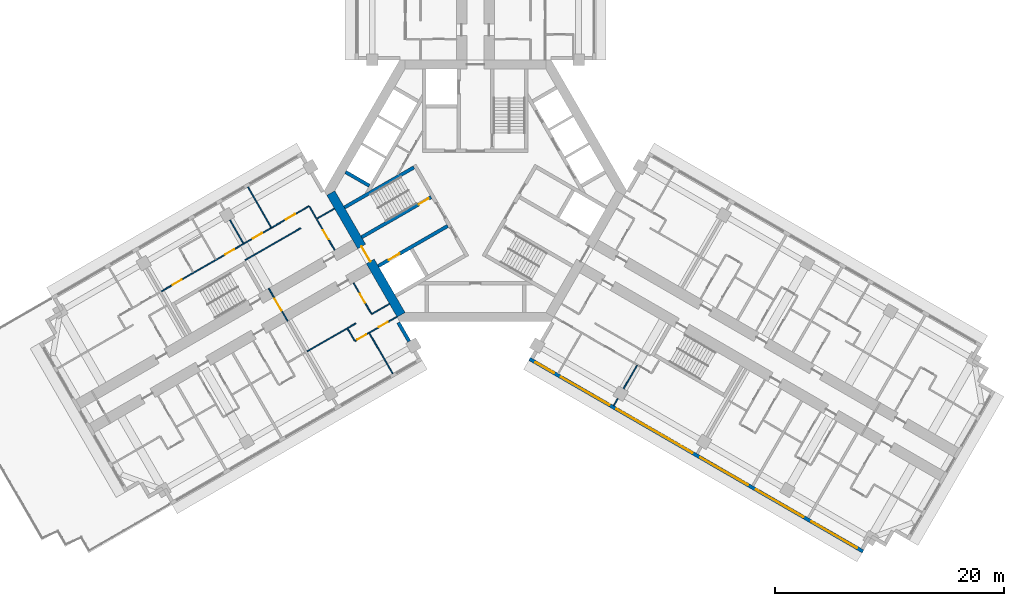
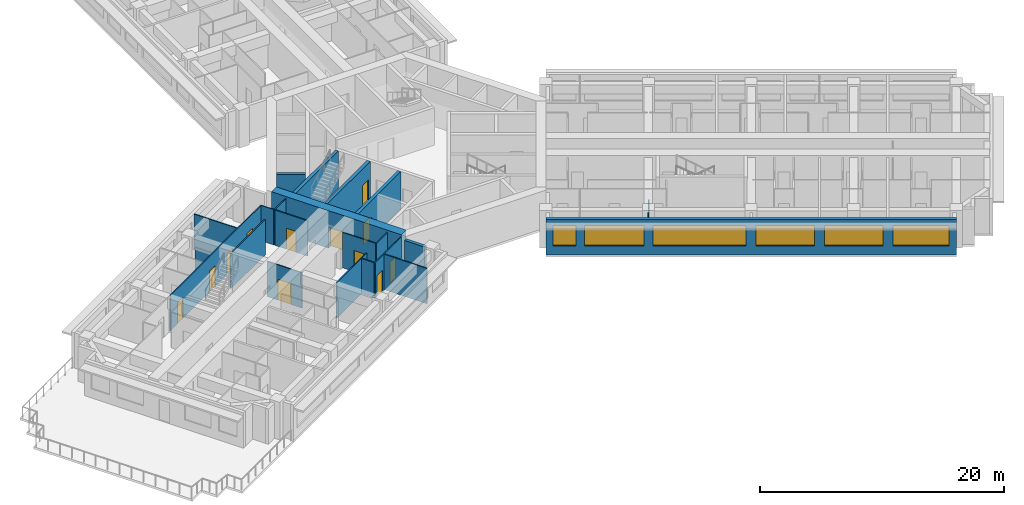
# One storey, part 5 of 15: 23 walls, 12 doors, 6 windows, 18 openings.
"""IFC4 building model written with IfcOpenShell, lengths in metres."""

from ifc_helpers import new_model, si_unit, direction, frame, frame_2d, origin, place, context, subcontext, project, spatial, rectangle, extrude, material, layer, layer_set, type_object, element, fill, save


model = new_model("IFC4")

# Units and contexts
model_context = context("Model", 3, precision=1e-05, world=origin(), true_north=direction((0.0, 1.0)))
body_context = subcontext(model_context, "Body", "Model", "MODEL_VIEW")
ifc_project = project(units=[si_unit("LENGTHUNIT", "METRE"), si_unit("AREAUNIT", "SQUARE_METRE"), si_unit("VOLUMEUNIT", "CUBIC_METRE"), si_unit("PLANEANGLEUNIT", "RADIAN"), si_unit("MASSUNIT", "GRAM", prefix="KILO")], contexts=[model_context])

# Site, building, storey
site_placement = place(None, origin())
site = spatial("IfcSite", under=ifc_project, at=site_placement, CompositionType="ELEMENT")
building_placement = place(site_placement, origin())
building = spatial("IfcBuilding", under=site, at=building_placement, Name="Impinga Residences", CompositionType="ELEMENT")
storey_placement = place(building_placement, frame((0.0, 0.0, 132.25)))
storey = spatial("IfcBuildingStorey", under=building, at=storey_placement, Name="L32", CompositionType="ELEMENT", Elevation=132.25)

# Wall, opening, door
ifc_material_1 = material(Name="Concrete blockwork", Category="masonry")
ifc_layer_1 = layer(ifc_material_1, 0.10009765625)
ifc_layer_set_1 = layer_set([ifc_layer_1], Name="CP1 core room partition, blockwork 100")
wall_type_1 = type_object("IfcWallType", Name="CP1 core room partition, blockwork 100", PredefinedType="PARTITIONING", material=ifc_layer_set_1)
wall_1_placement = place(storey_placement, frame((-16.393310546875, -11.369873046875, 0.0), z_axis=(0.0, 0.0, 1.0), x_axis=(-0.499974350878, 0.866040211805, 0.0)))
wall_1 = element("IfcWall", 1, at=wall_1_placement, inside=storey, type_object=wall_type_1, Name="Core room partition, blockwork L32:W:SCR", PredefinedType="PARTITIONING", context=body_context, shape_type="SweptSolid", body=[
    extrude(rectangle(XDim=3.300048828125, YDim=0.10009765625, at=frame_2d((1.64990234375, 0.0))), origin(), (0.0, 0.0, 1.0), 3.530029296875),
])
opening_1_placement = place(wall_1_placement, frame((1.050048828125, 0.0, 0.0)))
opening_1 = element("IfcOpeningElement", 2, at=opening_1_placement, cuts=wall_1, Name="Opening D3", PredefinedType="OPENING", context=body_context, shape_type="SweptSolid", body=[
    extrude(rectangle(XDim=1.199951171875, YDim=2.10009765625, at=frame_2d((0.60009765625, 1.050048828125))), frame((0.0, 0.06005859375, 0.0), z_axis=(0.0, -1.0, 0.0), x_axis=(1.0, 0.0, 0.0)), (0.0, 0.0, 1.0), 0.1201171875),
])
ifc_material_2 = material(Name="Timber door set", Category="wood")
door_type_1 = type_object("IfcDoorType", Name="D3 room door, leaf and a half 1200x2100", OperationType="DOUBLE_SWING_LEFT", PredefinedType="DOOR", material=ifc_material_2)
door_1_placement = place(opening_1_placement, origin())
door_1 = element("IfcDoor", 3, at=door_1_placement, inside=storey, type_object=door_type_1, Name="Corridor smoke door W", OperationType="DOUBLE_SWING_LEFT", OverallHeight=2.10009765625, OverallWidth=1.199951171875, PredefinedType="DOOR", context=body_context, shape_type="SweptSolid", body=[
    extrude(rectangle(XDim=1.199951171875, YDim=2.10009765625, at=frame_2d((0.60009765625, 1.050048828125))), frame((0.0, 0.02490234375, 0.0), z_axis=(0.0, -1.0, 0.0), x_axis=(1.0, 0.0, 0.0)), (0.0, 0.0, 1.0), 0.050048828125),
])
fill(opening_1, door_1)

# Wall, openings, windows
ifc_material_3 = material(Name="Terracotta rainscreen on blockwork", Category="masonry")
ifc_layer_2 = layer(ifc_material_3, 0.300048828125)
ifc_layer_set_2 = layer_set([ifc_layer_2], Name="EW1 external wall, terracotta rainscreen on blockwork 300")
wall_type_2 = type_object("IfcWallType", Name="EW1 external wall, terracotta rainscreen on blockwork 300", PredefinedType="SOLIDWALL", material=ifc_layer_set_2)
wall_2_placement = place(storey_placement, frame((33.823486328125, -31.479248046875, 0.0), z_axis=(0.0, 0.0, 1.0), x_axis=(-0.866024291668, 0.500001926238, 0.0)))
wall_2 = element("IfcWall", 4, at=wall_2_placement, inside=storey, type_object=wall_type_2, Name="External wall EW1 L32", PredefinedType="SOLIDWALL", context=body_context, shape_type="SweptSolid", body=[
    extrude(rectangle(XDim=33.599853515625, YDim=0.300048828125, at=frame_2d((16.7998046875, 0.0))), origin(), (0.0, 0.0, 1.0), 3.530029296875),
])
opening_2_placement = place(wall_2_placement, frame((0.60009765625, 0.0, 0.89990234375)))
opening_2 = element("IfcOpeningElement", 5, at=opening_2_placement, cuts=wall_2, Name="Opening W3", PredefinedType="OPENING", context=body_context, shape_type="SweptSolid", body=[
    extrude(rectangle(XDim=4.60009765625, YDim=2.050048828125, at=frame_2d((2.300048828125, 1.02490234375))), frame((0.0, 0.159912109375, 0.0), z_axis=(0.0, -1.0, 0.0), x_axis=(1.0, 0.0, 0.0)), (0.0, 0.0, 1.0), 0.320068359375),
])
opening_3_placement = place(wall_2_placement, frame((6.0, 0.0, 0.89990234375)))
opening_3 = element("IfcOpeningElement", 6, at=opening_3_placement, cuts=wall_2, Name="Opening W8", PredefinedType="OPENING", context=body_context, shape_type="SweptSolid", body=[
    extrude(rectangle(XDim=4.800048828125, YDim=2.050048828125, at=frame_2d((2.39990234375, 1.02490234375))), frame((0.0, 0.159912109375, 0.0), z_axis=(0.0, -1.0, 0.0), x_axis=(1.0, 0.0, 0.0)), (0.0, 0.0, 1.0), 0.320068359375),
])
opening_4_placement = place(wall_2_placement, frame((11.60009765625, 0.0, 0.89990234375)))
opening_4 = element("IfcOpeningElement", 7, at=opening_4_placement, cuts=wall_2, Name="Opening W8", PredefinedType="OPENING", context=body_context, shape_type="SweptSolid", body=[
    extrude(rectangle(XDim=4.800048828125, YDim=2.050048828125, at=frame_2d((2.39990234375, 1.02490234375))), frame((0.0, 0.159912109375, 0.0), z_axis=(0.0, -1.0, 0.0), x_axis=(1.0, 0.0, 0.0)), (0.0, 0.0, 1.0), 0.320068359375),
])
opening_5_placement = place(wall_2_placement, frame((17.199951171875, 0.0, 0.89990234375)))
opening_5 = element("IfcOpeningElement", 8, at=opening_5_placement, cuts=wall_2, Name="Opening W13", PredefinedType="OPENING", context=body_context, shape_type="SweptSolid", body=[
    extrude(rectangle(XDim=7.64990234375, YDim=2.050048828125, at=frame_2d((3.824951171875, 1.02490234375))), frame((0.0, 0.159912109375, 0.0), z_axis=(0.0, -1.0, 0.0), x_axis=(1.0, 0.0, 0.0)), (0.0, 0.0, 1.0), 0.320068359375),
])
opening_6_placement = place(wall_2_placement, frame((25.550048828125, 0.0, 0.89990234375)))
opening_6 = element("IfcOpeningElement", 9, at=opening_6_placement, cuts=wall_2, Name="Opening W16", PredefinedType="OPENING", context=body_context, shape_type="SweptSolid", body=[
    extrude(rectangle(XDim=4.89990234375, YDim=2.050048828125, at=frame_2d((2.449951171875, 1.02490234375))), frame((0.0, 0.159912109375, 0.0), z_axis=(0.0, -1.0, 0.0), x_axis=(1.0, 0.0, 0.0)), (0.0, 0.0, 1.0), 0.320068359375),
])
opening_7_placement = place(wall_2_placement, frame((31.14990234375, 0.0, 0.89990234375)))
opening_7 = element("IfcOpeningElement", 10, at=opening_7_placement, cuts=wall_2, Name="Opening W15", PredefinedType="OPENING", context=body_context, shape_type="SweptSolid", body=[
    extrude(rectangle(XDim=1.85009765625, YDim=2.050048828125, at=frame_2d((0.925048828125, 1.02490234375))), frame((0.0, 0.159912109375, 0.0), z_axis=(0.0, -1.0, 0.0), x_axis=(1.0, 0.0, 0.0)), (0.0, 0.0, 1.0), 0.320068359375),
])
ifc_material_4 = material(Name="Aluminium window, clear double glazing", Category="aluminium")
window_type_1 = type_object("IfcWindowType", Name="W13 ribbon window 7650x2050", PartitioningType="SINGLE_PANEL", PredefinedType="WINDOW", material=ifc_material_4)
window_1_placement = place(opening_5_placement, origin())
window_1 = element("IfcWindow", 11, at=window_1_placement, inside=storey, type_object=window_type_1, Name="Window L32", OverallHeight=2.050048828125, OverallWidth=7.64990234375, PartitioningType="SINGLE_PANEL", PredefinedType="WINDOW", context=body_context, shape_type="SweptSolid", body=[
    extrude(rectangle(XDim=7.64990234375, YDim=2.050048828125, at=frame_2d((3.824951171875, 1.02490234375))), frame((0.0, 0.030029296875, 0.0), z_axis=(0.0, -1.0, 0.0), x_axis=(1.0, 0.0, 0.0)), (0.0, 0.0, 1.0), 0.06005859375),
])
fill(opening_5, window_1)
window_type_2 = type_object("IfcWindowType", Name="W15 ribbon window 1850x2050", PartitioningType="SINGLE_PANEL", PredefinedType="WINDOW", material=ifc_material_4)
window_2_placement = place(opening_7_placement, origin())
window_2 = element("IfcWindow", 12, at=window_2_placement, inside=storey, type_object=window_type_2, Name="Window L32", OverallHeight=2.050048828125, OverallWidth=1.85009765625, PartitioningType="SINGLE_PANEL", PredefinedType="WINDOW", context=body_context, shape_type="SweptSolid", body=[
    extrude(rectangle(XDim=1.85009765625, YDim=2.050048828125, at=frame_2d((0.925048828125, 1.02490234375))), frame((0.0, 0.030029296875, 0.0), z_axis=(0.0, -1.0, 0.0), x_axis=(1.0, 0.0, 0.0)), (0.0, 0.0, 1.0), 0.06005859375),
])
fill(opening_7, window_2)
window_type_3 = type_object("IfcWindowType", Name="W16 ribbon window 4900x2050", PartitioningType="SINGLE_PANEL", PredefinedType="WINDOW", material=ifc_material_4)
window_3_placement = place(opening_6_placement, origin())
window_3 = element("IfcWindow", 13, at=window_3_placement, inside=storey, type_object=window_type_3, Name="Window L32", OverallHeight=2.050048828125, OverallWidth=4.89990234375, PartitioningType="SINGLE_PANEL", PredefinedType="WINDOW", context=body_context, shape_type="SweptSolid", body=[
    extrude(rectangle(XDim=4.89990234375, YDim=2.050048828125, at=frame_2d((2.449951171875, 1.02490234375))), frame((0.0, 0.030029296875, 0.0), z_axis=(0.0, -1.0, 0.0), x_axis=(1.0, 0.0, 0.0)), (0.0, 0.0, 1.0), 0.06005859375),
])
fill(opening_6, window_3)
window_type_4 = type_object("IfcWindowType", Name="W3 ribbon window 4600x2050", PartitioningType="SINGLE_PANEL", PredefinedType="WINDOW", material=ifc_material_4)
window_4_placement = place(opening_2_placement, origin())
window_4 = element("IfcWindow", 14, at=window_4_placement, inside=storey, type_object=window_type_4, Name="Window L32", OverallHeight=2.050048828125, OverallWidth=4.60009765625, PartitioningType="SINGLE_PANEL", PredefinedType="WINDOW", context=body_context, shape_type="SweptSolid", body=[
    extrude(rectangle(XDim=4.60009765625, YDim=2.050048828125, at=frame_2d((2.300048828125, 1.02490234375))), frame((0.0, 0.030029296875, 0.0), z_axis=(0.0, -1.0, 0.0), x_axis=(1.0, 0.0, 0.0)), (0.0, 0.0, 1.0), 0.06005859375),
])
fill(opening_2, window_4)
window_type_5 = type_object("IfcWindowType", Name="W8 ribbon window 4800x2050", PartitioningType="SINGLE_PANEL", PredefinedType="WINDOW", material=ifc_material_4)
window_5_placement = place(opening_3_placement, origin())
window_5 = element("IfcWindow", 15, at=window_5_placement, inside=storey, type_object=window_type_5, Name="Window L32", OverallHeight=2.050048828125, OverallWidth=4.800048828125, PartitioningType="SINGLE_PANEL", PredefinedType="WINDOW", context=body_context, shape_type="SweptSolid", body=[
    extrude(rectangle(XDim=4.800048828125, YDim=2.050048828125, at=frame_2d((2.39990234375, 1.02490234375))), frame((0.0, 0.030029296875, 0.0), z_axis=(0.0, -1.0, 0.0), x_axis=(1.0, 0.0, 0.0)), (0.0, 0.0, 1.0), 0.06005859375),
])
fill(opening_3, window_5)
window_6_placement = place(opening_4_placement, origin())
window_6 = element("IfcWindow", 16, at=window_6_placement, inside=storey, type_object=window_type_5, Name="Window L32", OverallHeight=2.050048828125, OverallWidth=4.800048828125, PartitioningType="SINGLE_PANEL", PredefinedType="WINDOW", context=body_context, shape_type="SweptSolid", body=[
    extrude(rectangle(XDim=4.800048828125, YDim=2.050048828125, at=frame_2d((2.39990234375, 1.02490234375))), frame((0.0, 0.030029296875, 0.0), z_axis=(0.0, -1.0, 0.0), x_axis=(1.0, 0.0, 0.0)), (0.0, 0.0, 1.0), 0.06005859375),
])
fill(opening_4, window_6)

# Walls
wall_3_placement = place(storey_placement, frame((-6.72998046875, -11.506591796875, 0.0), z_axis=(0.0, 0.0, 1.0), x_axis=(0.500063520245, -0.865988727248, 0.0)))
element("IfcWall", 17, at=wall_3_placement, inside=storey, type_object=wall_type_2, Name="External wall EW1 L32", PredefinedType="SOLIDWALL", context=body_context, shape_type="SweptSolid", body=[
    extrude(rectangle(XDim=1.900146484375, YDim=0.300048828125, at=frame_2d((0.9501953125, 0.0))), origin(), (0.0, 0.0, 1.0), 3.530029296875),
])
ifc_material_5 = material(Name="Gypsum board on steel studs", Category="steel")
ifc_layer_3 = layer(ifc_material_5, 0.10009765625)
ifc_layer_set_3 = layer_set([ifc_layer_3], Name="Gypsum board on steel studs")
wall_type_3 = type_object("IfcWallType", Name="IP1 partition 100", PredefinedType="PARTITIONING", material=ifc_layer_set_3)
wall_4_placement = place(storey_placement, frame((-7.5, -9.872802734375, 0.0), z_axis=(0.0, 0.0, 1.0), x_axis=(-0.866047807691, -0.499961193289, 0.0)))
element("IfcWall", 18, at=wall_4_placement, inside=storey, type_object=wall_type_3, Name="Partition L32-WA1:DIV0", PredefinedType="PARTITIONING", context=body_context, shape_type="SweptSolid", body=[
    extrude(rectangle(XDim=1.800048828125, YDim=0.10009765625, at=frame_2d((0.89990234375, 0.0))), origin(), (0.0, 0.0, 1.0), 3.530029296875),
])
wall_5_placement = place(storey_placement, frame((-10.444580078125, -11.57275390625, 0.0), z_axis=(0.0, 0.0, 1.0), x_axis=(-0.866023786258, -0.500002801628, 0.0)))
element("IfcWall", 19, at=wall_5_placement, inside=storey, type_object=wall_type_3, Name="Partition L32-WA1:DIV1", PredefinedType="PARTITIONING", context=body_context, shape_type="SweptSolid", body=[
    extrude(rectangle(XDim=4.89990234375, YDim=0.10009765625, at=frame_2d((2.449951171875, 0.0))), origin(), (0.0, 0.0, 1.0), 3.530029296875),
])

# Wall, openings, doors
wall_6_placement = place(storey_placement, frame((-6.85009765625, -10.99853515625, 0.0), z_axis=(0.0, 0.0, 1.0), x_axis=(-0.866014341725, -0.50001915956, 0.0)))
wall_6 = element("IfcWall", 20, at=wall_6_placement, inside=storey, type_object=wall_type_3, Name="Partition L32-WA1:STRIP", PredefinedType="PARTITIONING", context=body_context, shape_type="SweptSolid", body=[
    extrude(rectangle(XDim=4.249755859375, YDim=0.10009765625, at=frame_2d((2.125, 0.0))), origin(), (0.0, 0.0, 1.0), 3.530029296875),
])
opening_8_placement = place(wall_6_placement, frame((0.925048828125, 0.0, 0.0)))
opening_8 = element("IfcOpeningElement", 21, at=opening_8_placement, cuts=wall_6, Name="Opening D2", PredefinedType="OPENING", context=body_context, shape_type="SweptSolid", body=[
    extrude(rectangle(XDim=0.89990234375, YDim=2.10009765625, at=frame_2d((0.449951171875, 1.050048828125))), frame((0.0, 0.06005859375, 0.0), z_axis=(0.0, -1.0, 0.0), x_axis=(1.0, 0.0, 0.0)), (0.0, 0.0, 1.0), 0.1201171875),
])
opening_9_placement = place(wall_6_placement, frame((3.10009765625, 0.0, 0.0)))
opening_9 = element("IfcOpeningElement", 22, at=opening_9_placement, cuts=wall_6, Name="Opening D2", PredefinedType="OPENING", context=body_context, shape_type="SweptSolid", body=[
    extrude(rectangle(XDim=0.89990234375, YDim=2.10009765625, at=frame_2d((0.449951171875, 1.050048828125))), frame((0.0, 0.06005859375, 0.0), z_axis=(0.0, -1.0, 0.0), x_axis=(1.0, 0.0, 0.0)), (0.0, 0.0, 1.0), 0.1201171875),
])
door_type_2 = type_object("IfcDoorType", Name="D2 internal door 900x2100", OperationType="SINGLE_SWING_LEFT", PredefinedType="DOOR", material=ifc_material_2)
door_2_placement = place(opening_8_placement, origin())
door_2 = element("IfcDoor", 23, at=door_2_placement, inside=storey, type_object=door_type_2, Name="Apartment L32-WA1 room door", OperationType="SINGLE_SWING_LEFT", OverallHeight=2.10009765625, OverallWidth=0.89990234375, PredefinedType="DOOR", context=body_context, shape_type="SweptSolid", body=[
    extrude(rectangle(XDim=0.89990234375, YDim=2.10009765625, at=frame_2d((0.449951171875, 1.050048828125))), frame((0.0, 0.02490234375, 0.0), z_axis=(0.0, -1.0, 0.0), x_axis=(1.0, 0.0, 0.0)), (0.0, 0.0, 1.0), 0.050048828125),
])
fill(opening_8, door_2)
door_3_placement = place(opening_9_placement, origin())
door_3 = element("IfcDoor", 24, at=door_3_placement, inside=storey, type_object=door_type_2, Name="Apartment L32-WA1 room door", OperationType="SINGLE_SWING_RIGHT", OverallHeight=2.10009765625, OverallWidth=0.89990234375, PredefinedType="DOOR", context=body_context, shape_type="SweptSolid", body=[
    extrude(rectangle(XDim=0.89990234375, YDim=2.10009765625, at=frame_2d((0.449951171875, 1.050048828125))), frame((0.0, 0.02490234375, 0.0), z_axis=(0.0, -1.0, 0.0), x_axis=(1.0, 0.0, 0.0)), (0.0, 0.0, 1.0), 0.050048828125),
])
fill(opening_9, door_3)

# Wall
wall_7_placement = place(storey_placement, frame((-11.155517578125, -12.041015625, 0.0), z_axis=(0.0, 0.0, 1.0), x_axis=(0.499880961361, -0.866094119867, 0.0)))
element("IfcWall", 25, at=wall_7_placement, inside=storey, type_object=wall_type_3, Name="Partition L32-WA1:SE1", PredefinedType="PARTITIONING", context=body_context, shape_type="SweptSolid", body=[
    extrude(rectangle(XDim=1.199951171875, YDim=0.10009765625, at=frame_2d((0.60009765625, 0.0))), origin(), (0.0, 0.0, 1.0), 3.530029296875),
])

# Wall, opening, door
wall_8_placement = place(storey_placement, frame((-10.6337890625, -8.044677734375, 0.0), z_axis=(0.0, 0.0, 1.0), x_axis=(0.49999285859, -0.86602952684, 0.0)))
wall_8 = element("IfcWall", 26, at=wall_8_placement, inside=storey, type_object=wall_type_3, Name="Partition L32-WA1:IB1", PredefinedType="PARTITIONING", context=body_context, shape_type="SweptSolid", body=[
    extrude(rectangle(XDim=3.10009765625, YDim=0.10009765625, at=frame_2d((1.550048828125, 0.0))), origin(), (0.0, 0.0, 1.0), 3.530029296875),
])
opening_10_placement = place(wall_8_placement, frame((1.10009765625, 0.0, 0.0)))
opening_10 = element("IfcOpeningElement", 27, at=opening_10_placement, cuts=wall_8, Name="Opening D2", PredefinedType="OPENING", context=body_context, shape_type="SweptSolid", body=[
    extrude(rectangle(XDim=0.89990234375, YDim=2.10009765625, at=frame_2d((0.449951171875, 1.050048828125))), frame((0.0, 0.06005859375, 0.0), z_axis=(0.0, -1.0, 0.0), x_axis=(1.0, 0.0, 0.0)), (0.0, 0.0, 1.0), 0.1201171875),
])
door_4_placement = place(opening_10_placement, origin())
door_4 = element("IfcDoor", 28, at=door_4_placement, inside=storey, type_object=door_type_2, Name="Apartment L32-WA1 bathroom door", OperationType="SINGLE_SWING_LEFT", OverallHeight=2.10009765625, OverallWidth=0.89990234375, PredefinedType="DOOR", context=body_context, shape_type="SweptSolid", body=[
    extrude(rectangle(XDim=0.89990234375, YDim=2.10009765625, at=frame_2d((0.449951171875, 1.050048828125))), frame((0.0, 0.02490234375, 0.0), z_axis=(0.0, -1.0, 0.0), x_axis=(1.0, 0.0, 0.0)), (0.0, 0.0, 1.0), 0.050048828125),
])
fill(opening_10, door_4)

# Walls
wall_9_placement = place(storey_placement, frame((-9.249755859375, -12.44189453125, 0.0), z_axis=(0.0, 0.0, 1.0), x_axis=(0.499990325971, -0.866030989016, 0.0)))
element("IfcWall", 29, at=wall_9_placement, inside=storey, type_object=wall_type_3, Name="Partition L32-WA1:OB1", PredefinedType="PARTITIONING", context=body_context, shape_type="SweptSolid", body=[
    extrude(rectangle(XDim=4.0498046875, YDim=0.10009765625, at=frame_2d((2.02490234375, 0.0))), origin(), (0.0, 0.0, 1.0), 3.530029296875),
])
wall_10_placement = place(storey_placement, frame((-12.300048828125, -1.558837890625, 0.0), z_axis=(0.0, 0.0, 1.0), x_axis=(-0.866047807691, -0.499961193289, 0.0)))
element("IfcWall", 30, at=wall_10_placement, inside=storey, type_object=wall_type_3, Name="Partition L32-WF1:DIV0", PredefinedType="PARTITIONING", context=body_context, shape_type="SweptSolid", body=[
    extrude(rectangle(XDim=1.800048828125, YDim=0.10009765625, at=frame_2d((0.89990234375, 0.0))), origin(), (0.0, 0.0, 1.0), 3.530029296875),
])
wall_11_placement = place(storey_placement, frame((-15.244384765625, -3.2587890625, 0.0), z_axis=(0.0, 0.0, 1.0), x_axis=(-0.866026594901, -0.49999793692, 0.0)))
element("IfcWall", 31, at=wall_11_placement, inside=storey, type_object=wall_type_3, Name="Partition L32-WF1:DIV1", PredefinedType="PARTITIONING", context=body_context, shape_type="SweptSolid", body=[
    extrude(rectangle(XDim=5.60009765625, YDim=0.10009765625, at=frame_2d((2.800048828125, 0.0))), origin(), (0.0, 0.0, 1.0), 3.530029296875),
])

# Wall, openings, doors
wall_12_placement = place(storey_placement, frame((-14.5087890625, -1.3330078125, 0.0), z_axis=(0.0, 0.0, 1.0), x_axis=(-0.866027327438, -0.499996668119, 0.0)))
wall_12 = element("IfcWall", 32, at=wall_12_placement, inside=storey, type_object=wall_type_3, Name="Partition L32-WF1:STRIP", PredefinedType="PARTITIONING", context=body_context, shape_type="SweptSolid", body=[
    extrude(rectangle(XDim=14.89990234375, YDim=0.10009765625, at=frame_2d((7.449951171875, 0.0))), origin(), (0.0, 0.0, 1.0), 3.530029296875),
])
opening_11_placement = place(wall_12_placement, frame((1.425048828125, 0.0, 0.0)))
opening_11 = element("IfcOpeningElement", 33, at=opening_11_placement, cuts=wall_12, Name="Opening D2", PredefinedType="OPENING", context=body_context, shape_type="SweptSolid", body=[
    extrude(rectangle(XDim=0.89990234375, YDim=2.10009765625, at=frame_2d((0.449951171875, 1.050048828125))), frame((0.0, 0.06005859375, 0.0), z_axis=(0.0, -1.0, 0.0), x_axis=(1.0, 0.0, 0.0)), (0.0, 0.0, 1.0), 0.1201171875),
])
opening_12_placement = place(wall_12_placement, frame((4.75, 0.0, 0.0)))
opening_12 = element("IfcOpeningElement", 34, at=opening_12_placement, cuts=wall_12, Name="Opening D2", PredefinedType="OPENING", context=body_context, shape_type="SweptSolid", body=[
    extrude(rectangle(XDim=0.89990234375, YDim=2.10009765625, at=frame_2d((0.449951171875, 1.050048828125))), frame((0.0, 0.06005859375, 0.0), z_axis=(0.0, -1.0, 0.0), x_axis=(1.0, 0.0, 0.0)), (0.0, 0.0, 1.0), 0.1201171875),
])
opening_13_placement = place(wall_12_placement, frame((7.550048828125, 0.0, 0.0)))
opening_13 = element("IfcOpeningElement", 35, at=opening_13_placement, cuts=wall_12, Name="Opening D2", PredefinedType="OPENING", context=body_context, shape_type="SweptSolid", body=[
    extrude(rectangle(XDim=0.89990234375, YDim=2.10009765625, at=frame_2d((0.449951171875, 1.050048828125))), frame((0.0, 0.06005859375, 0.0), z_axis=(0.0, -1.0, 0.0), x_axis=(1.0, 0.0, 0.0)), (0.0, 0.0, 1.0), 0.1201171875),
])
opening_14_placement = place(wall_12_placement, frame((12.85009765625, 0.0, 0.0)))
opening_14 = element("IfcOpeningElement", 36, at=opening_14_placement, cuts=wall_12, Name="Opening D2", PredefinedType="OPENING", context=body_context, shape_type="SweptSolid", body=[
    extrude(rectangle(XDim=0.89990234375, YDim=2.10009765625, at=frame_2d((0.449951171875, 1.050048828125))), frame((0.0, 0.06005859375, 0.0), z_axis=(0.0, -1.0, 0.0), x_axis=(1.0, 0.0, 0.0)), (0.0, 0.0, 1.0), 0.1201171875),
])
door_5_placement = place(opening_11_placement, origin())
door_5 = element("IfcDoor", 37, at=door_5_placement, inside=storey, type_object=door_type_2, Name="Apartment L32-WF1 room door", OperationType="SINGLE_SWING_LEFT", OverallHeight=2.10009765625, OverallWidth=0.89990234375, PredefinedType="DOOR", context=body_context, shape_type="SweptSolid", body=[
    extrude(rectangle(XDim=0.89990234375, YDim=2.10009765625, at=frame_2d((0.449951171875, 1.050048828125))), frame((0.0, 0.02490234375, 0.0), z_axis=(0.0, -1.0, 0.0), x_axis=(1.0, 0.0, 0.0)), (0.0, 0.0, 1.0), 0.050048828125),
])
fill(opening_11, door_5)
door_6_placement = place(opening_12_placement, origin())
door_6 = element("IfcDoor", 38, at=door_6_placement, inside=storey, type_object=door_type_2, Name="Apartment L32-WF1 room door", OperationType="SINGLE_SWING_LEFT", OverallHeight=2.10009765625, OverallWidth=0.89990234375, PredefinedType="DOOR", context=body_context, shape_type="SweptSolid", body=[
    extrude(rectangle(XDim=0.89990234375, YDim=2.10009765625, at=frame_2d((0.449951171875, 1.050048828125))), frame((0.0, 0.02490234375, 0.0), z_axis=(0.0, -1.0, 0.0), x_axis=(1.0, 0.0, 0.0)), (0.0, 0.0, 1.0), 0.050048828125),
])
fill(opening_12, door_6)
door_7_placement = place(opening_13_placement, origin())
door_7 = element("IfcDoor", 39, at=door_7_placement, inside=storey, type_object=door_type_2, Name="Apartment L32-WF1 room door", OperationType="SINGLE_SWING_RIGHT", OverallHeight=2.10009765625, OverallWidth=0.89990234375, PredefinedType="DOOR", context=body_context, shape_type="SweptSolid", body=[
    extrude(rectangle(XDim=0.89990234375, YDim=2.10009765625, at=frame_2d((0.449951171875, 1.050048828125))), frame((0.0, 0.02490234375, 0.0), z_axis=(0.0, -1.0, 0.0), x_axis=(1.0, 0.0, 0.0)), (0.0, 0.0, 1.0), 0.050048828125),
])
fill(opening_13, door_7)
door_8_placement = place(opening_14_placement, origin())
door_8 = element("IfcDoor", 40, at=door_8_placement, inside=storey, type_object=door_type_2, Name="Apartment L32-WF1 room door", OperationType="SINGLE_SWING_RIGHT", OverallHeight=2.10009765625, OverallWidth=0.89990234375, PredefinedType="DOOR", context=body_context, shape_type="SweptSolid", body=[
    extrude(rectangle(XDim=0.89990234375, YDim=2.10009765625, at=frame_2d((0.449951171875, 1.050048828125))), frame((0.0, 0.02490234375, 0.0), z_axis=(0.0, -1.0, 0.0), x_axis=(1.0, 0.0, 0.0)), (0.0, 0.0, 1.0), 0.050048828125),
])
fill(opening_14, door_8)

# Wall
wall_13_placement = place(storey_placement, frame((-13.8837890625, -2.41552734375, 0.0), z_axis=(0.0, 0.0, 1.0), x_axis=(-0.500033551112, 0.866006032174, 0.0)))
element("IfcWall", 41, at=wall_13_placement, inside=storey, type_object=wall_type_3, Name="Partition L32-WF1:SE0", PredefinedType="PARTITIONING", context=body_context, shape_type="SweptSolid", body=[
    extrude(rectangle(XDim=1.2001953125, YDim=0.10009765625, at=frame_2d((0.60009765625, 0.0))), origin(), (0.0, 0.0, 1.0), 3.530029296875),
])

# Wall, opening, door
wall_14_placement = place(storey_placement, frame((-12.283935546875, -5.186767578125, 0.0), z_axis=(0.0, 0.0, 1.0), x_axis=(-0.499967891604, 0.866043940782, 0.0)))
wall_14 = element("IfcWall", 42, at=wall_14_placement, inside=storey, type_object=wall_type_3, Name="Partition L32-WF1:IB1", PredefinedType="PARTITIONING", context=body_context, shape_type="SweptSolid", body=[
    extrude(rectangle(XDim=3.099853515625, YDim=0.10009765625, at=frame_2d((1.5498046875, 0.0))), origin(), (0.0, 0.0, 1.0), 3.530029296875),
])
opening_15_placement = place(wall_14_placement, frame((1.10009765625, 0.0, 0.0)))
opening_15 = element("IfcOpeningElement", 43, at=opening_15_placement, cuts=wall_14, Name="Opening D2", PredefinedType="OPENING", context=body_context, shape_type="SweptSolid", body=[
    extrude(rectangle(XDim=0.89990234375, YDim=2.10009765625, at=frame_2d((0.449951171875, 1.050048828125))), frame((0.0, 0.06005859375, 0.0), z_axis=(0.0, -1.0, 0.0), x_axis=(1.0, 0.0, 0.0)), (0.0, 0.0, 1.0), 0.1201171875),
])
door_9_placement = place(opening_15_placement, origin())
door_9 = element("IfcDoor", 44, at=door_9_placement, inside=storey, type_object=door_type_2, Name="Apartment L32-WF1 bathroom door", OperationType="SINGLE_SWING_LEFT", OverallHeight=2.10009765625, OverallWidth=0.89990234375, PredefinedType="DOOR", context=body_context, shape_type="SweptSolid", body=[
    extrude(rectangle(XDim=0.89990234375, YDim=2.10009765625, at=frame_2d((0.449951171875, 1.050048828125))), frame((0.0, 0.02490234375, 0.0), z_axis=(0.0, -1.0, 0.0), x_axis=(1.0, 0.0, 0.0)), (0.0, 0.0, 1.0), 0.050048828125),
])
fill(opening_15, door_9)

# Walls
wall_15_placement = place(storey_placement, frame((-17.82470703125, -3.189697265625, 0.0), z_axis=(0.0, 0.0, 1.0), x_axis=(-0.500035537042, 0.866004885491, 0.0)))
element("IfcWall", 45, at=wall_15_placement, inside=storey, type_object=wall_type_3, Name="Partition L32-WF1:OB1", PredefinedType="PARTITIONING", context=body_context, shape_type="SweptSolid", body=[
    extrude(rectangle(XDim=4.050048828125, YDim=0.10009765625, at=frame_2d((2.02490234375, 0.0))), origin(), (0.0, 0.0, 1.0), 3.530029296875),
])
for number, where, z_axis, x_axis, name in (
    (46, (-20.24951171875, -4.589599609375, 0.0), (0.0, 0.0, 1.0), (-0.500016218704, 0.866016039709, 0.0), "Partition L32-WF1:OB2"),
    (47, (14.099609375, -15.241943359375, 0.0), (0.0, 0.0, 1.0), (-0.500016218704, -0.866016039709, 0.0), "Partition L32-EF1:OB2"),
):
    element("IfcWall", number, at=place(storey_placement, frame(where, z_axis=z_axis, x_axis=x_axis)), inside=storey, type_object=wall_type_3, Name=name, PredefinedType="PARTITIONING", context=body_context, shape_type="SweptSolid", body=[
        extrude(rectangle(XDim=2.35009765625, YDim=0.10009765625, at=frame_2d((1.175048828125, 0.0))), origin(), (0.0, 0.0, 1.0), 2.47998046875),
    ])
wall_16_placement = place(storey_placement, frame((12.424560546875, -18.14306640625, 0.0), z_axis=(0.0, 0.0, 1.0), x_axis=(-0.499853302173, -0.866110083249, 0.0)))
element("IfcWall", 48, at=wall_16_placement, inside=storey, type_object=wall_type_3, Name="Partition L32-EF1:OB2b", PredefinedType="PARTITIONING", context=body_context, shape_type="SweptSolid", body=[
    extrude(rectangle(XDim=0.699951171875, YDim=0.10009765625, at=frame_2d((0.35009765625, 0.0))), origin(), (0.0, 0.0, 1.0), 3.530029296875),
])

# Wall, opening, door
ifc_material_6 = material(Name="Concrete C60/75", Category="concrete")
ifc_layer_4 = layer(ifc_material_6, 0.800048828125)
ifc_layer_set_4 = layer_set([ifc_layer_4], Name="Concrete C60/75")
wall_type_4 = type_object("IfcWallType", Name="SW2 core wall 800", PredefinedType="SHEAR", material=ifc_layer_set_4)
wall_17_placement = place(storey_placement, frame((-6.484619140625, -10.83154296875, 0.0), z_axis=(0.0, 0.0, 1.0), x_axis=(-0.499986991068, 0.866032914365, 0.0)))
wall_17 = element("IfcWall", 49, at=wall_17_placement, inside=storey, type_object=wall_type_4, Name="Core wall SW2 W:FACE L32", PredefinedType="SHEAR", context=body_context, shape_type="SweptSolid", body=[
    extrude(rectangle(XDim=12.276123046875, YDim=0.800048828125, at=frame_2d((6.13818359375, 0.0))), origin(), (0.0, 0.0, 1.0), 3.75),
])
opening_16_placement = place(wall_17_placement, frame((5.38818359375, 0.0, 0.0)))
opening_16 = element("IfcOpeningElement", 50, at=opening_16_placement, cuts=wall_17, Name="Opening D4", PredefinedType="OPENING", context=body_context, shape_type="SweptSolid", body=[
    extrude(rectangle(XDim=1.5, YDim=2.10009765625, at=frame_2d((0.75, 1.050048828125))), frame((0.0, 0.409912109375, 0.0), z_axis=(0.0, -1.0, 0.0), x_axis=(1.0, 0.0, 0.0)), (0.0, 0.0, 1.0), 0.820068359375),
])
door_type_3 = type_object("IfcDoorType", Name="D4 lobby door pair 1500x2100", OperationType="DOUBLE_DOOR_DOUBLE_SWING", PredefinedType="DOOR", material=ifc_material_2)
door_10_placement = place(opening_16_placement, origin())
door_10 = element("IfcDoor", 51, at=door_10_placement, inside=storey, type_object=door_type_3, Name="Lobby door W", OperationType="DOUBLE_DOOR_DOUBLE_SWING", OverallHeight=2.10009765625, OverallWidth=1.5, PredefinedType="DOOR", context=body_context, shape_type="SweptSolid", body=[
    extrude(rectangle(XDim=1.5, YDim=2.10009765625, at=frame_2d((0.75, 1.050048828125))), frame((0.0, 0.02490234375, 0.0), z_axis=(0.0, -1.0, 0.0), x_axis=(1.0, 0.0, 0.0)), (0.0, 0.0, 1.0), 0.050048828125),
])
fill(opening_16, door_10)

ifc_material_7 = material(Name="Concrete C70/85", Category="concrete")
ifc_layer_5 = layer(ifc_material_7, 0.300048828125)
ifc_layer_set_5 = layer_set([ifc_layer_5], Name="Concrete C70/85")
wall_type_5 = type_object("IfcWallType", Name="SW5 core inner wall, stairs, shafts and lobbies 300", PredefinedType="SHEAR", material=ifc_layer_set_5)
wall_18_placement = place(storey_placement, frame((-3.86865234375, -0.559326171875, 0.0), z_axis=(0.0, 0.0, 1.0), x_axis=(-0.866026480128, -0.499998135713, 0.0)))
wall_18 = element("IfcWall", 52, at=wall_18_placement, inside=storey, type_object=wall_type_5, Name="Core wall SW5 W:ST-IN L32", PredefinedType="SHEAR", context=body_context, shape_type="SweptSolid", body=[
    extrude(rectangle(XDim=7.00146484375, YDim=0.300048828125, at=frame_2d((3.500732421875, 0.0))), origin(), (0.0, 0.0, 1.0), 3.75),
])
opening_17_placement = place(wall_18_placement, frame((0.25, 0.0, 0.0)))
opening_17 = element("IfcOpeningElement", 53, at=opening_17_placement, cuts=wall_18, Name="Opening D5", PredefinedType="OPENING", context=body_context, shape_type="SweptSolid", body=[
    extrude(rectangle(XDim=1.0, YDim=2.10009765625, at=frame_2d((0.5, 1.050048828125))), frame((0.0, 0.159912109375, 0.0), z_axis=(0.0, -1.0, 0.0), x_axis=(1.0, 0.0, 0.0)), (0.0, 0.0, 1.0), 0.320068359375),
])
door_type_4 = type_object("IfcDoorType", Name="D5 stair door 1000x2100", OperationType="SINGLE_SWING_LEFT", PredefinedType="DOOR", material=ifc_material_2)
door_11_placement = place(opening_17_placement, origin())
door_11 = element("IfcDoor", 54, at=door_11_placement, inside=storey, type_object=door_type_4, Name="Stair door W", OperationType="SINGLE_SWING_LEFT", OverallHeight=2.10009765625, OverallWidth=1.0, PredefinedType="DOOR", context=body_context, shape_type="SweptSolid", body=[
    extrude(rectangle(XDim=1.0, YDim=2.10009765625, at=frame_2d((0.5, 1.050048828125))), frame((0.0, 0.02490234375, 0.0), z_axis=(0.0, -1.0, 0.0), x_axis=(1.0, 0.0, 0.0)), (0.0, 0.0, 1.0), 0.050048828125),
])
fill(opening_17, door_11)

# Wall
wall_19_placement = place(storey_placement, frame((-5.36865234375, 2.038818359375, 0.0), z_axis=(0.0, 0.0, 1.0), x_axis=(-0.866026480128, -0.499998135713, 0.0)))
element("IfcWall", 55, at=wall_19_placement, inside=storey, type_object=wall_type_5, Name="Core wall SW5 W:ST-OUT L32", PredefinedType="SHEAR", context=body_context, shape_type="SweptSolid", body=[
    extrude(rectangle(XDim=7.00146484375, YDim=0.300048828125, at=frame_2d((3.500732421875, 0.0))), origin(), (0.0, 0.0, 1.0), 3.75),
])

# Wall, opening, door
wall_20_placement = place(storey_placement, frame((-2.418701171875, -3.07080078125, 0.0), z_axis=(0.0, 0.0, 1.0), x_axis=(-0.866026480128, -0.499998135713, 0.0)))
wall_20 = element("IfcWall", 56, at=wall_20_placement, inside=storey, type_object=wall_type_5, Name="Core wall SW5 W:FF-IN L32", PredefinedType="SHEAR", context=body_context, shape_type="SweptSolid", body=[
    extrude(rectangle(XDim=7.00146484375, YDim=0.300048828125, at=frame_2d((3.500732421875, 0.0))), origin(), (0.0, 0.0, 1.0), 3.75),
])
opening_18_placement = place(wall_20_placement, frame((4.85009765625, 0.0, 0.0)))
opening_18 = element("IfcOpeningElement", 57, at=opening_18_placement, cuts=wall_20, Name="Opening LD2", PredefinedType="OPENING", context=body_context, shape_type="SweptSolid", body=[
    extrude(rectangle(XDim=1.10009765625, YDim=2.10009765625, at=frame_2d((0.550048828125, 1.050048828125))), frame((0.0, 0.159912109375, 0.0), z_axis=(0.0, -1.0, 0.0), x_axis=(1.0, 0.0, 0.0)), (0.0, 0.0, 1.0), 0.320068359375),
])
ifc_material_8 = material(Name="Steel lift landing door", Category="steel")
door_type_5 = type_object("IfcDoorType", Name="LD2 firefighting lift landing door 1100x2100", OperationType="DOUBLE_DOOR_SLIDING", PredefinedType="DOOR", material=ifc_material_8)
door_12_placement = place(opening_18_placement, origin())
door_12 = element("IfcDoor", 58, at=door_12_placement, inside=storey, type_object=door_type_5, Name="Firefighting lift landing door F2", OperationType="DOUBLE_DOOR_SLIDING", OverallHeight=2.10009765625, OverallWidth=1.10009765625, PredefinedType="DOOR", context=body_context, shape_type="SweptSolid", body=[
    extrude(rectangle(XDim=1.10009765625, YDim=2.10009765625, at=frame_2d((0.550048828125, 1.050048828125))), frame((0.0, 0.02490234375, 0.0), z_axis=(0.0, -1.0, 0.0), x_axis=(1.0, 0.0, 0.0)), (0.0, 0.0, 1.0), 0.050048828125),
])
fill(opening_18, door_12)

# Wall
wall_21_placement = place(storey_placement, frame((-9.253662109375, 0.43505859375, 0.0), z_axis=(0.0, 0.0, 1.0), x_axis=(-0.866006032174, 0.500033551112, 0.0)))
element("IfcWall", 59, at=wall_21_placement, inside=storey, type_object=wall_type_5, Name="Core wall SW5 E:BANK-L L32", PredefinedType="SHEAR", context=body_context, shape_type="SweptSolid", body=[
    extrude(rectangle(XDim=2.400146484375, YDim=0.300048828125, at=frame_2d((1.2001953125, 0.0))), origin(), (0.0, 0.0, 1.0), 3.75),
])

save(model, "model.ifc")
